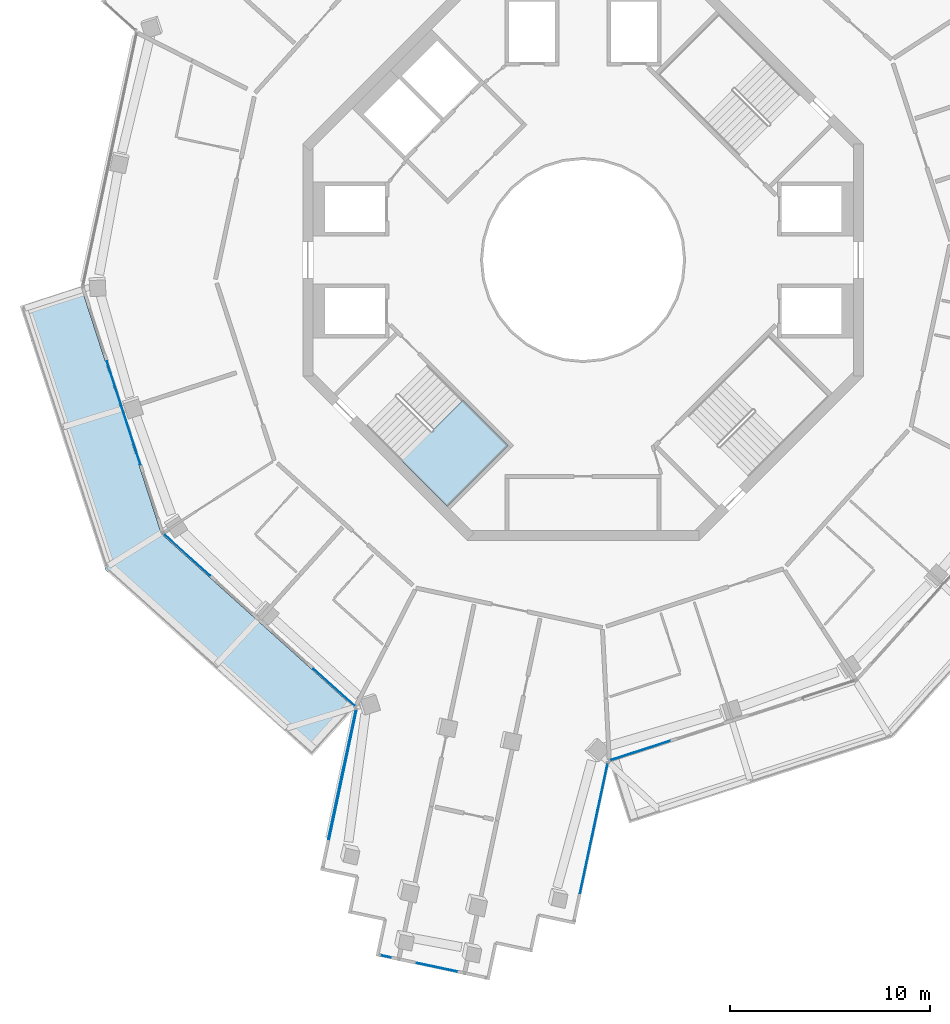
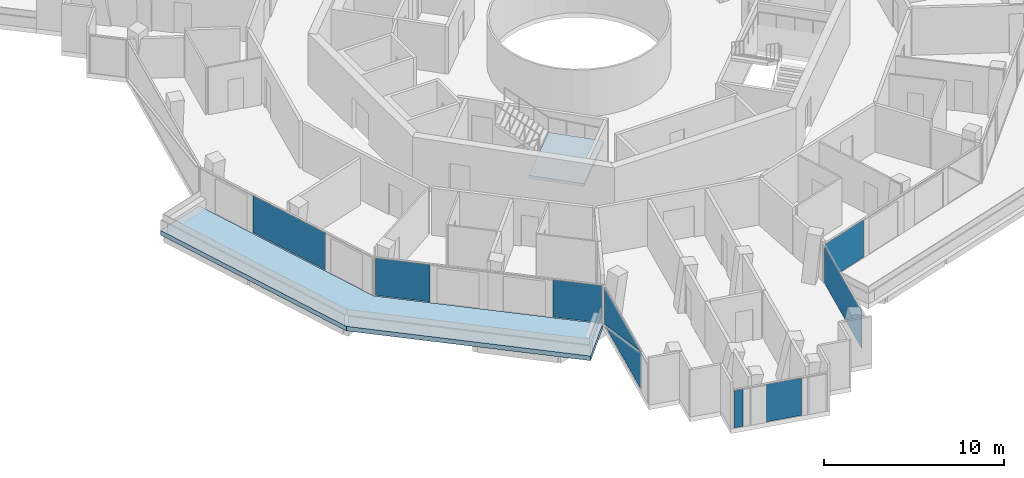
# One storey, part 10 of 22: 9 plates, 2 slabs, 7 elements without a shape of their own.
"""IFC4 building model written with IfcOpenShell, lengths in metres."""

from ifc_helpers import new_model, si_unit, direction, frame, origin, origin_2d, place, context, subcontext, project, spatial, polyline, rectangle, outline, extrude, material, layer, layer_set, type_object, element, aggregate, save


model = new_model("IFC4")

# Units and contexts
model_context = context("Model", 3, precision=1e-05, world=origin(), true_north=direction((0.0, 1.0)))
body_context = subcontext(model_context, "Body", "Model", "MODEL_VIEW")
ifc_project = project(units=[si_unit("LENGTHUNIT", "METRE"), si_unit("AREAUNIT", "SQUARE_METRE"), si_unit("VOLUMEUNIT", "CUBIC_METRE"), si_unit("PLANEANGLEUNIT", "RADIAN"), si_unit("MASSUNIT", "GRAM", prefix="KILO")], contexts=[model_context])

# Site, building, storey
site_placement = place(None, origin())
site = spatial("IfcSite", under=ifc_project, at=site_placement, CompositionType="ELEMENT")
building_placement = place(site_placement, origin())
building = spatial("IfcBuilding", under=site, at=building_placement, Name="Verdalira Terraces Hotel", CompositionType="ELEMENT")
storey_placement = place(building_placement, frame((0.0, 0.0, 230.5)))
storey = spatial("IfcBuildingStorey", under=building, at=storey_placement, Name="L56", CompositionType="ELEMENT", Elevation=230.5)

# Slab
ifc_material_1 = material(Name="Precast concrete C40/50", Category="concrete")
ifc_layer_1 = layer(ifc_material_1, 0.31005859375)
ifc_layer_set_1 = layer_set([ifc_layer_1], Name="Balcony deck 310")
slab_type_1 = type_object("IfcSlabType", Name="Balcony deck 310", PredefinedType="FLOOR", material=ifc_layer_set_1)
slab_1_placement = place(storey_placement, frame((0.0, 0.0, -0.310059)))
element("IfcSlab", 1, at=slab_1_placement, inside=storey, type_object=slab_type_1, Name="Balcony deck", PredefinedType="FLOOR", context=body_context, shape_type="SweptSolid", body=[
    extrude(outline(polyline([(-23.84082, -15.482422), (-13.542725, -24.754883), (-11.401611, -22.376709), (-21.0625, -13.678223), (-25.07959, -1.314453), (-28.123047, -2.303223), (-23.84082, -15.482422)])), origin(), (0.0, 0.0, 1.0), 0.310059),
])

# Curtain wall, plate
ifc_material_2 = material(Name="Clear glass", Category="glass")
ifc_layer_2 = layer(ifc_material_2, 0.14990234375)
ifc_layer_set_2 = layer_set([ifc_layer_2], Name="CW1 curtain wall")
curtain_wall_type_1 = type_object("IfcCurtainWallType", Name="CW1 curtain wall", PredefinedType="NOTDEFINED", material=ifc_layer_set_2)
curtain_wall_1_placement = place(storey_placement, origin())
curtain_wall_1 = element("IfcCurtainWall", 2, at=curtain_wall_1_placement, inside=storey, type_object=curtain_wall_type_1, Name="CW1 curtain wall L56 edge 12", PredefinedType="NOTDEFINED")
ifc_material_3 = material(Name="Clear glass", Category="glass")
ifc_layer_3 = layer(ifc_material_3, 0.028076171875)
ifc_layer_set_3 = layer_set([ifc_layer_3], Name="CW1 glass unit 28")
plate_type_1 = type_object("IfcPlateType", Name="CW1 glass unit 28", PredefinedType="CURTAIN_PANEL", material=ifc_layer_set_3)
plate_1_placement = place(storey_placement, frame((-22.944336, -7.643799, 0.0), z_axis=(0.0, 0.0, 1.0), x_axis=(0.309016994, -0.951056516, 0.0)))
plate_1 = element("IfcPlate", 3, at=plate_1_placement, type_object=plate_type_1, Name="CW1 glass unit", PredefinedType="CURTAIN_PANEL", context=body_context, shape_type="SweptSolid", body=[
    extrude(rectangle(XDim=5.432373, YDim=0.028076, at=origin_2d()), origin(), (0.0, 0.0, 1.0), 2.524902),
])
aggregate(curtain_wall_1, [plate_1])

# Curtain wall, plates
curtain_wall_2_placement = place(storey_placement, origin())
curtain_wall_2 = element("IfcCurtainWall", 4, at=curtain_wall_2_placement, inside=storey, type_object=curtain_wall_type_1, Name="CW1 curtain wall L56 edge 13", PredefinedType="NOTDEFINED")
plate_2_placement = place(storey_placement, frame((-19.785889, -14.726562, 0.0), z_axis=(0.0, 0.0, 1.0), x_axis=(0.743144825, -0.669130606, 0.0)))
plate_2 = element("IfcPlate", 5, at=plate_2_placement, type_object=plate_type_1, Name="CW1 glass unit", PredefinedType="CURTAIN_PANEL", context=body_context, shape_type="SweptSolid", body=[
    extrude(rectangle(XDim=3.099854, YDim=0.028076, at=origin_2d()), origin(), (0.0, 0.0, 1.0), 2.524902),
])
plate_3_placement = place(storey_placement, frame((-12.428467, -21.351318, 0.0), z_axis=(0.0, 0.0, 1.0), x_axis=(0.743144825, -0.669130606, 0.0)))
plate_3 = element("IfcPlate", 6, at=plate_3_placement, type_object=plate_type_1, Name="CW1 glass unit", PredefinedType="CURTAIN_PANEL", context=body_context, shape_type="SweptSolid", body=[
    extrude(rectangle(XDim=2.778809, YDim=0.028076, at=origin_2d()), origin(), (0.0, 0.0, 1.0), 2.524902),
])
aggregate(curtain_wall_2, [plate_2, plate_3])

# Curtain wall, plate
curtain_wall_3_placement = place(storey_placement, origin())
curtain_wall_3 = element("IfcCurtainWall", 7, at=curtain_wall_3_placement, inside=storey, type_object=curtain_wall_type_1, Name="CW1 curtain wall L56 edge 25", PredefinedType="NOTDEFINED")
plate_4_placement = place(storey_placement, frame((2.841309, -24.504639, 0.0), z_axis=(0.0, 0.0, 1.0), x_axis=(0.951056516, 0.309016994, 0.0)))
plate_4 = element("IfcPlate", 8, at=plate_4_placement, type_object=plate_type_1, Name="CW1 glass unit", PredefinedType="CURTAIN_PANEL", context=body_context, shape_type="SweptSolid", body=[
    extrude(rectangle(XDim=3.139893, YDim=0.028076, at=origin_2d()), origin(), (0.0, 0.0, 1.0), 2.524902),
])
aggregate(curtain_wall_3, [plate_4])

# Curtain wall, plates
ifc_material_4 = material(Name="Clear glass", Category="glass")
ifc_layer_4 = layer(ifc_material_4, 0.14990234375)
ifc_layer_set_4 = layer_set([ifc_layer_4], Name="CW2 curtain wall")
curtain_wall_type_2 = type_object("IfcCurtainWallType", Name="CW2 curtain wall", PredefinedType="NOTDEFINED", material=ifc_layer_set_4)
curtain_wall_4_placement = place(storey_placement, origin())
curtain_wall_4 = element("IfcCurtainWall", 9, at=curtain_wall_4_placement, inside=storey, type_object=curtain_wall_type_2, Name="CW2 curtain wall L56 edge 14", PredefinedType="NOTDEFINED")
ifc_material_5 = material(Name="Clear glass", Category="glass")
ifc_layer_5 = layer(ifc_material_5, 0.031982421875)
ifc_layer_set_5 = layer_set([ifc_layer_5], Name="CW2 glass unit 32")
plate_type_2 = type_object("IfcPlateType", Name="CW2 glass unit 32", PredefinedType="CURTAIN_PANEL", material=ifc_layer_set_5)
plate_5_placement = place(storey_placement, frame((-12.015137, -25.700684, 1.262451), z_axis=(-0.978147601, 0.207911691, 0.0), x_axis=(-0.207911691, -0.978147601, 0.0)))
plate_5 = element("IfcPlate", 10, at=plate_5_placement, type_object=plate_type_2, Name="CW2 glass unit", PredefinedType="CURTAIN_PANEL", context=body_context, shape_type="SweptSolid", body=[
    extrude(outline(polyline([(-3.308838, -1.262451), (3.308838, -1.262451), (3.308838, 1.262451), (-3.308838, -1.262451)])), origin(), (0.0, 0.0, 1.0), 0.031982),
])
plate_6_placement = place(storey_placement, frame((-11.98291, -25.70752, 1.262451), z_axis=(-0.978147601, 0.207911691, 0.0), x_axis=(-0.207911691, -0.978147601, 0.0)))
plate_6 = element("IfcPlate", 11, at=plate_6_placement, type_object=plate_type_2, Name="CW2 glass unit", PredefinedType="CURTAIN_PANEL", context=body_context, shape_type="SweptSolid", body=[
    extrude(outline(polyline([(-3.308838, -1.262451), (3.308838, 1.262451), (-3.308838, 1.262451), (-3.308838, -1.262451)])), origin(), (0.0, 0.0, 1.0), 0.031982),
])
aggregate(curtain_wall_4, [plate_5, plate_6])

# Curtain wall, plate
curtain_wall_5_placement = place(storey_placement, origin())
curtain_wall_5 = element("IfcCurtainWall", 12, at=curtain_wall_5_placement, inside=storey, type_object=curtain_wall_type_2, Name="CW2 curtain wall L56 edge 24", PredefinedType="NOTDEFINED")
plate_7_placement = place(storey_placement, frame((0.536377, -28.378906, 0.0), z_axis=(0.0, 0.0, 1.0), x_axis=(0.207911691, 0.978147601, 0.0)))
plate_7 = element("IfcPlate", 13, at=plate_7_placement, type_object=plate_type_2, Name="CW2 glass unit", PredefinedType="CURTAIN_PANEL", context=body_context, shape_type="SweptSolid", body=[
    extrude(rectangle(XDim=6.637451, YDim=0.031982, at=origin_2d()), origin(), (0.0, 0.0, 1.0), 2.524902),
])
aggregate(curtain_wall_5, [plate_7])

# Curtain wall, plates
ifc_material_6 = material(Name="Clear glass", Category="glass")
ifc_layer_6 = layer(ifc_material_6, 0.14990234375)
ifc_layer_set_6 = layer_set([ifc_layer_6], Name="CW3 curtain wall")
curtain_wall_type_3 = type_object("IfcCurtainWallType", Name="CW3 curtain wall", PredefinedType="NOTDEFINED", material=ifc_layer_set_6)
curtain_wall_6_placement = place(storey_placement, origin())
curtain_wall_6 = element("IfcCurtainWall", 14, at=curtain_wall_6_placement, inside=storey, type_object=curtain_wall_type_3, Name="CW3 curtain wall L56 edge 19", PredefinedType="NOTDEFINED")
ifc_material_7 = material(Name="Clear glass", Category="glass")
ifc_layer_7 = layer(ifc_material_7, 0.035888671875)
ifc_layer_set_7 = layer_set([ifc_layer_7], Name="CW3 glass unit 36")
plate_type_3 = type_object("IfcPlateType", Name="CW3 glass unit 36", PredefinedType="CURTAIN_PANEL", material=ifc_layer_set_7)
plate_8_placement = place(storey_placement, frame((-9.861816, -34.780518, 0.0), z_axis=(0.0, 0.0, 1.0), x_axis=(0.978147601, -0.207911691, 0.0)))
plate_8 = element("IfcPlate", 15, at=plate_8_placement, type_object=plate_type_3, Name="CW3 glass unit", PredefinedType="CURTAIN_PANEL", context=body_context, shape_type="SweptSolid", body=[
    extrude(rectangle(XDim=0.51001, YDim=0.035889, at=origin_2d()), origin(), (0.0, 0.0, 1.0), 2.524902),
])
plate_9_placement = place(storey_placement, frame((-7.282959, -35.328613, 0.0), z_axis=(0.0, 0.0, 1.0), x_axis=(0.978147601, -0.207911691, 0.0)))
plate_9 = element("IfcPlate", 16, at=plate_9_placement, type_object=plate_type_3, Name="CW3 glass unit", PredefinedType="CURTAIN_PANEL", context=body_context, shape_type="SweptSolid", body=[
    extrude(rectangle(XDim=2.077393, YDim=0.035889, at=origin_2d()), origin(), (0.0, 0.0, 1.0), 2.524902),
])
aggregate(curtain_wall_6, [plate_8, plate_9])

# Stair, slab
ifc_material_8 = material(Name="Concrete C40", Category="concrete")
stair_type = type_object("IfcStairType", Name="Core stair 20 risers 2100 mm wide", PredefinedType="HALF_TURN_STAIR", material=ifc_material_8)
stair_placement = place(storey_placement, origin())
stair = element("IfcStair", 17, at=stair_placement, inside=storey, type_object=stair_type, Name="L56 Exit stair ST2", PredefinedType="HALF_TURN_STAIR")
ifc_material_9 = material(Name="Concrete C40", Category="concrete")
ifc_layer_8 = layer(ifc_material_9, 0.199951171875)
ifc_layer_set_8 = layer_set([ifc_layer_8], Name="Core stair landing 200 mm")
slab_type_2 = type_object("IfcSlabType", Name="Core stair landing 200 mm", PredefinedType="LANDING", material=ifc_layer_set_8)
slab_2_placement = place(storey_placement, frame((0.0, 0.0, 1.550049)))
slab_2 = element("IfcSlab", 18, at=slab_2_placement, type_object=slab_type_2, Name="ST2 landing 1", PredefinedType="LANDING", context=body_context, shape_type="SweptSolid", body=[
    extrude(outline(polyline([(-9.037109, -10.054688), (-6.78833, -12.303711), (-3.747559, -9.263184), (-5.996582, -7.01416), (-9.037109, -10.054688)])), origin(), (0.0, 0.0, 1.0), 0.199951),
])
aggregate(stair, [slab_2])

save(model, "model.ifc")
